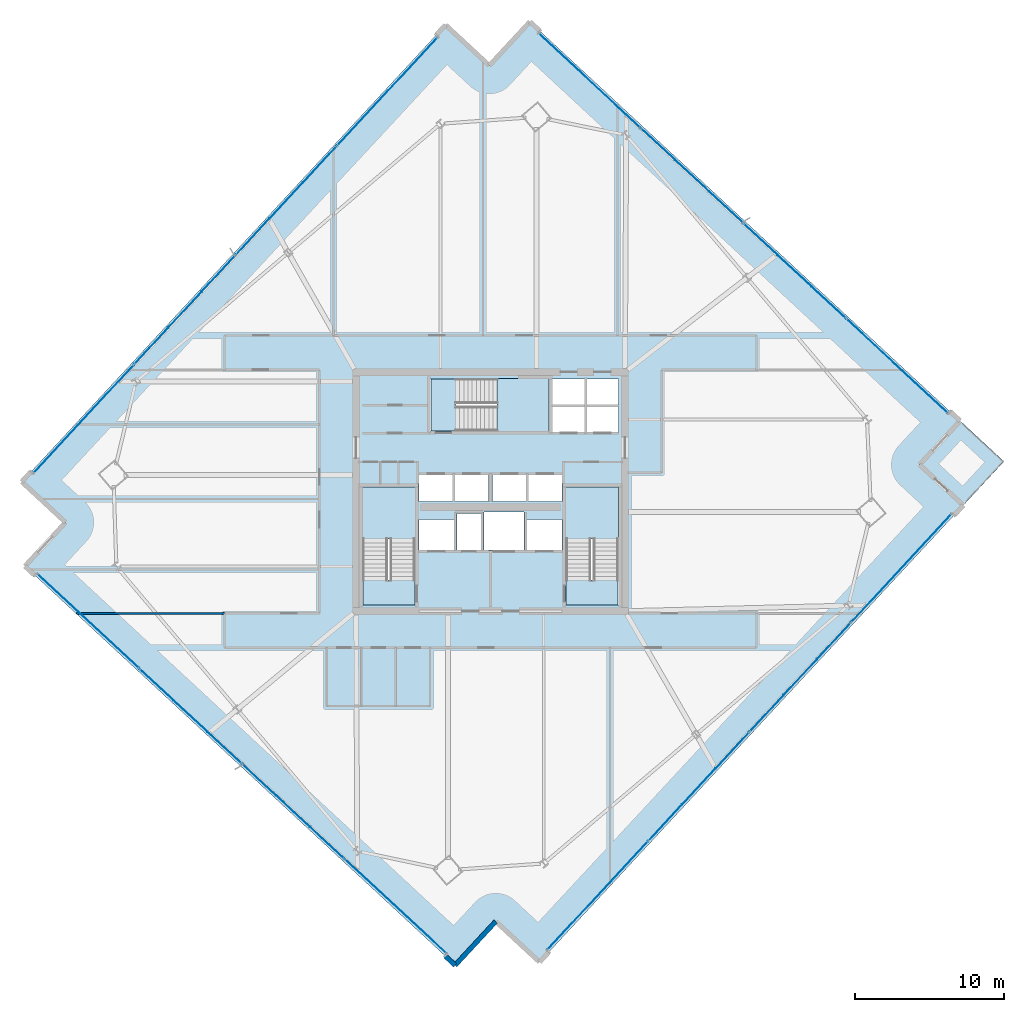
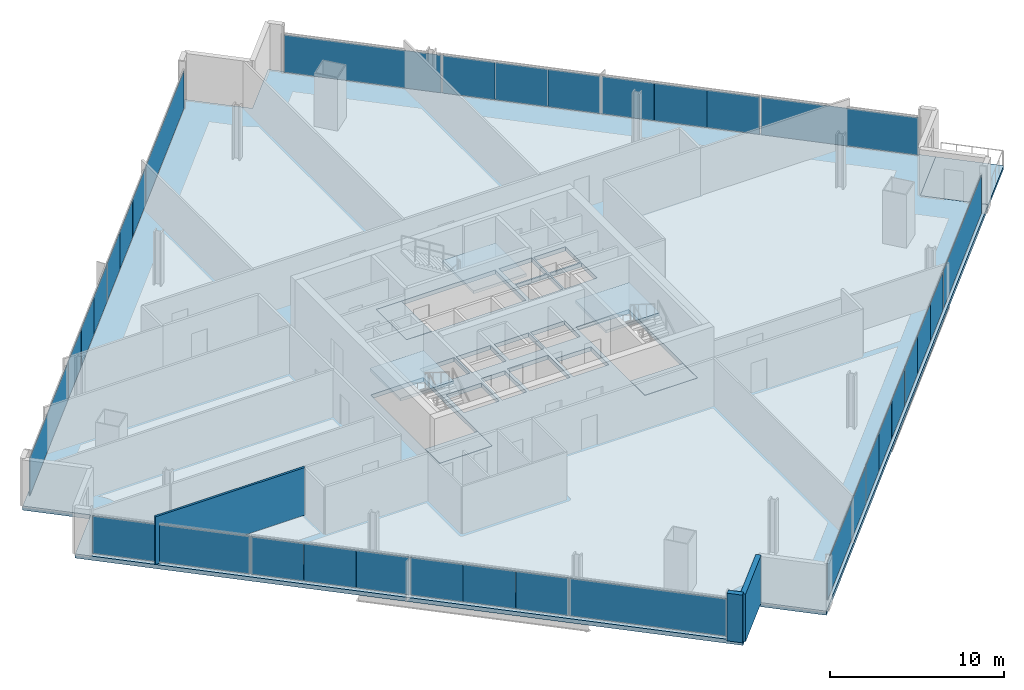
# One storey, part 23 of 32: 32 plates, 8 slabs, 3 walls, 7 elements without a shape of their own.
"""IFC4 building model written with IfcOpenShell, lengths in metres."""

from ifc_helpers import new_model, si_unit, direction, frame, frame_2d, origin, origin_2d, place, context, subcontext, project, spatial, polyline, rectangle, outline, extrude, source, transform, mapped, material, layer, layer_set, type_object, element, aggregate, save


model = new_model("IFC4")

# Units and contexts
model_context = context("Model", 3, precision=1e-05, world=origin(), true_north=direction((0.0, 1.0)))
body_context = subcontext(model_context, "Body", "Model", "MODEL_VIEW")
ifc_project = project(units=[si_unit("LENGTHUNIT", "METRE"), si_unit("AREAUNIT", "SQUARE_METRE"), si_unit("VOLUMEUNIT", "CUBIC_METRE"), si_unit("PLANEANGLEUNIT", "RADIAN"), si_unit("MASSUNIT", "GRAM", prefix="KILO")], contexts=[model_context])

# Site, building, storey
site_placement = place(None, origin())
site = spatial("IfcSite", under=ifc_project, at=site_placement, CompositionType="ELEMENT")
building_placement = place(site_placement, origin())
building = spatial("IfcBuilding", under=site, at=building_placement, Name="Haldenkirk Collegiate Tower", CompositionType="ELEMENT")
storey_placement = place(building_placement, frame((0.0, 0.0, 185.699951171875)))
storey = spatial("IfcBuildingStorey", under=building, at=storey_placement, Name="L46", CompositionType="ELEMENT", Elevation=185.699951171875)

# Slab
ifc_material_1 = material(Name="Concrete f'c 40 MPa", Category="concrete")
ifc_layer_1 = layer(ifc_material_1, 0.2900390625)
ifc_layer_set_1 = layer_set([ifc_layer_1], Name="Concrete f'c 40 MPa")
slab_type_1 = type_object("IfcSlabType", Name="SLB-FLR-290", PredefinedType="FLOOR", material=ifc_layer_set_1)
slab_1_placement = place(storey_placement, frame((0.0, 0.0, -0.2900390625)))
element("IfcSlab", 1, at=slab_1_placement, inside=storey, type_object=slab_type_1, Name="L46 composite structural floor slab", PredefinedType="FLOOR", context=body_context, shape_type="SweptSolid", body=[
    extrude(outline(polyline([(39.287353515625, -5.48876953125), (67.646728515625, 25.0830078125), (64.714111328125, 27.80322265625), (67.4345703125, 30.73583984375), (38.640380859375, 57.446044921875), (35.920166015625, 54.513427734375), (32.987548828125, 57.23388671875), (4.628173828125, 26.662109375), (7.560791015625, 23.941650390625), (4.840576171875, 21.009033203125), (33.634521484375, -5.701171875), (36.354736328125, -2.7685546875), (39.287353515625, -5.48876953125)]), holes=[polyline([(27.449951171875, 18.39990234375), (30.949951171875, 18.39990234375), (30.949951171875, 26.300048828125), (27.449951171875, 26.300048828125), (27.449951171875, 18.39990234375)]), polyline([(41.050048828125, 18.39990234375), (44.550048828125, 18.39990234375), (44.550048828125, 26.300048828125), (41.050048828125, 26.300048828125), (41.050048828125, 18.39990234375)]), polyline([(32.0, 30.050048828125), (39.89990234375, 30.050048828125), (39.89990234375, 33.550048828125), (32.0, 33.550048828125), (32.0, 30.050048828125)]), polyline([(33.75, 22.10009765625), (35.35009765625, 22.10009765625), (35.35009765625, 24.550048828125), (33.75, 24.550048828125), (33.75, 22.10009765625)]), polyline([(40.14990234375, 29.949951171875), (42.320068359375, 29.949951171875), (42.320068359375, 31.699951171875), (40.14990234375, 31.699951171875), (40.14990234375, 29.949951171875)]), polyline([(42.419921875, 29.949951171875), (44.550048828125, 29.949951171875), (44.550048828125, 31.699951171875), (42.419921875, 31.699951171875), (42.419921875, 29.949951171875)]), polyline([(40.14990234375, 31.800048828125), (42.320068359375, 31.800048828125), (42.320068359375, 33.550048828125), (40.14990234375, 33.550048828125), (40.14990234375, 31.800048828125)]), polyline([(42.419921875, 31.800048828125), (44.550048828125, 31.800048828125), (44.550048828125, 33.550048828125), (42.419921875, 33.550048828125), (42.419921875, 31.800048828125)]), polyline([(31.199951171875, 25.35009765625), (33.47998046875, 25.35009765625), (33.47998046875, 27.14990234375), (31.199951171875, 27.14990234375), (31.199951171875, 25.35009765625)]), polyline([(33.60009765625, 25.35009765625), (35.8798828125, 25.35009765625), (35.8798828125, 27.14990234375), (33.60009765625, 27.14990234375), (33.60009765625, 25.35009765625)]), polyline([(36.1201171875, 25.35009765625), (38.39990234375, 25.35009765625), (38.39990234375, 27.14990234375), (36.1201171875, 27.14990234375), (36.1201171875, 25.35009765625)]), polyline([(38.52001953125, 25.35009765625), (40.800048828125, 25.35009765625), (40.800048828125, 27.14990234375), (38.52001953125, 27.14990234375), (38.52001953125, 25.35009765625)]), polyline([(31.199951171875, 22.10009765625), (33.550048828125, 22.10009765625), (33.550048828125, 24.14990234375), (31.199951171875, 24.14990234375), (31.199951171875, 22.10009765625)]), polyline([(38.449951171875, 22.10009765625), (40.800048828125, 22.10009765625), (40.800048828125, 24.14990234375), (38.449951171875, 24.14990234375), (38.449951171875, 22.10009765625)]), polyline([(35.550048828125, 22.10009765625), (38.25, 22.10009765625), (38.25, 24.64990234375), (35.550048828125, 24.64990234375), (35.550048828125, 22.10009765625)])]), origin(), (0.0, 0.0, 1.0), 0.2900390625),
])

# Stair, slab
stair_type = type_object("IfcStairType", Name="STR-DOGLEG-1650", PredefinedType="HALF_TURN_STAIR", material=ifc_material_1)
stair_1_placement = place(storey_placement, origin())
stair_1 = element("IfcStair", 2, at=stair_1_placement, inside=storey, type_object=stair_type, Name="L46 Core Exit Stair ST-1", PredefinedType="HALF_TURN_STAIR")
ifc_layer_2 = layer(ifc_material_1, 0.199951171875)
ifc_layer_set_2 = layer_set([ifc_layer_2], Name="Concrete f'c 40 MPa")
slab_type_2 = type_object("IfcSlabType", Name="SLB-LANDING-200", PredefinedType="LANDING", material=ifc_layer_set_2)
slab_2_placement = place(storey_placement, frame((0.0, 0.0, 1.675048828125)))
slab_2 = element("IfcSlab", 3, at=slab_2_placement, type_object=slab_type_2, Name="ST-1 landing 1", PredefinedType="LANDING", context=body_context, shape_type="SweptSolid", body=[
    extrude(outline(polyline([(30.97509765625, 22.824951171875), (27.425048828125, 22.824951171875), (27.425048828125, 26.324951171875), (30.97509765625, 26.324951171875), (30.97509765625, 22.824951171875)])), origin(), (0.0, 0.0, 1.0), 0.199951171875),
])
aggregate(stair_1, [slab_2])

stair_2_placement = place(storey_placement, origin())
stair_2 = element("IfcStair", 4, at=stair_2_placement, inside=storey, type_object=stair_type, Name="L46 Core Exit Stair ST-2", PredefinedType="HALF_TURN_STAIR")
slab_3_placement = place(storey_placement, frame((0.0, 0.0, 1.675048828125)))
slab_3 = element("IfcSlab", 5, at=slab_3_placement, type_object=slab_type_2, Name="ST-2 landing 1", PredefinedType="LANDING", context=body_context, shape_type="SweptSolid", body=[
    extrude(outline(polyline([(44.574951171875, 22.824951171875), (41.02490234375, 22.824951171875), (41.02490234375, 26.324951171875), (44.574951171875, 26.324951171875), (44.574951171875, 22.824951171875)])), origin(), (0.0, 0.0, 1.0), 0.199951171875),
])
aggregate(stair_2, [slab_3])

stair_3_placement = place(storey_placement, origin())
stair_3 = element("IfcStair", 6, at=stair_3_placement, inside=storey, type_object=stair_type, Name="L46 Core Exit Stair ST-3", PredefinedType="HALF_TURN_STAIR")
slab_4_placement = place(storey_placement, frame((0.0, 0.0, 1.675048828125)))
slab_4 = element("IfcSlab", 7, at=slab_4_placement, type_object=slab_type_2, Name="ST-3 landing 1", PredefinedType="LANDING", context=body_context, shape_type="SweptSolid", body=[
    extrude(outline(polyline([(36.425048828125, 30.02490234375), (36.425048828125, 33.574951171875), (39.925048828125, 33.574951171875), (39.925048828125, 30.02490234375), (36.425048828125, 30.02490234375)])), origin(), (0.0, 0.0, 1.0), 0.199951171875),
])
aggregate(stair_3, [slab_4])

# Slabs
ifc_layer_3 = layer(ifc_material_1, 0.25)
ifc_layer_set_3 = layer_set([ifc_layer_3], Name="Concrete f'c 40 MPa")
slab_type_3 = type_object("IfcSlabType", Name="SLB-STAIRLAND-250", PredefinedType="LANDING", material=ifc_layer_set_3)
slab_5_placement = place(storey_placement, frame((0.0, 0.0, -0.25)))
element("IfcSlab", 8, at=slab_5_placement, inside=storey, type_object=slab_type_3, Name="L46 stair ST1 structural floor landing slab", PredefinedType="LANDING", context=body_context, shape_type="SweptSolid", body=[
    extrude(outline(polyline([(27.4599609375, 18.409912109375), (30.93994140625, 18.409912109375), (30.93994140625, 20.080078125), (27.4599609375, 20.080078125), (27.4599609375, 18.409912109375)])), origin(), (0.0, 0.0, 1.0), 0.25),
])
slab_6_placement = place(storey_placement, frame((0.0, 0.0, -0.25)))
element("IfcSlab", 9, at=slab_6_placement, inside=storey, type_object=slab_type_3, Name="L46 stair ST2 structural floor landing slab", PredefinedType="LANDING", context=body_context, shape_type="SweptSolid", body=[
    extrude(outline(polyline([(41.06005859375, 18.409912109375), (44.5400390625, 18.409912109375), (44.5400390625, 20.080078125), (41.06005859375, 20.080078125), (41.06005859375, 18.409912109375)])), origin(), (0.0, 0.0, 1.0), 0.25),
])
slab_7_placement = place(storey_placement, frame((0.0, 0.0, -0.25)))
element("IfcSlab", 10, at=slab_7_placement, inside=storey, type_object=slab_type_3, Name="L46 stair ST3 structural floor landing slab", PredefinedType="LANDING", context=body_context, shape_type="SweptSolid", body=[
    extrude(outline(polyline([(32.010009765625, 30.06005859375), (33.679931640625, 30.06005859375), (33.679931640625, 33.5400390625), (32.010009765625, 33.5400390625), (32.010009765625, 30.06005859375)])), origin(), (0.0, 0.0, 1.0), 0.25),
])
ifc_layer_4 = layer(ifc_material_1, 0.22998046875)
ifc_layer_set_4 = layer_set([ifc_layer_4], Name="Concrete f'c 40 MPa")
slab_type_4 = type_object("IfcSlabType", Name="SLB-TERR-SPIRAL-230", PredefinedType="FLOOR", material=ifc_layer_set_4)
slab_8_placement = place(storey_placement, frame((0.0, 0.0, -0.22998046875)))
element("IfcSlab", 11, at=slab_8_placement, inside=storey, type_object=slab_type_4, Name="L46 spiralling corner terrace slab", PredefinedType="FLOOR", context=body_context, shape_type="SweptSolid", body=[
    extrude(outline(polyline([(67.646728515625, 25.0830078125), (70.366943359375, 28.015380859375), (67.4345703125, 30.73583984375), (64.714111328125, 27.80322265625), (67.646728515625, 25.0830078125)])), origin(), (0.0, 0.0, 1.0), 0.22998046875),
])

# Curtain wall, plates
ifc_material_2 = material(Name="Anodised architectural bronze aluminium", Category="aluminium")
curtain_wall_type_1 = type_object("IfcCurtainWallType", Name="CW-SYS2-CONCAVE", PredefinedType="USERDEFINED", material=ifc_material_2)
curtain_wall_1_placement = place(storey_placement, origin())
curtain_wall_1 = element("IfcCurtainWall", 12, at=curtain_wall_1_placement, inside=storey, type_object=curtain_wall_type_1, Name="L46 South concave recessed bronze-anodised curtain wall", ObjectType="UNITISED CURTAIN WALL", PredefinedType="USERDEFINED")
ifc_material_3 = material(Name="Low-E argon triple insulating glass", Category="glass")
ifc_layer_5 = layer(ifc_material_3, 0.0419921875)
ifc_layer_set_5 = layer_set([ifc_layer_5], Name="Low-E argon triple insulating glass")
plate_type_1 = type_object("IfcPlateType", Name="CW-PNL-02", PredefinedType="CURTAIN_PANEL", material=ifc_layer_set_5)
shared_shape_1 = source(origin(), body_context, "Body", "SweptSolid", [
    extrude(rectangle(XDim=9.862548828125, YDim=0.0419921875, at=origin_2d()), origin(), (0.0, 0.0, 1.0), 2.64111328125),
])
plate_1_placement = place(storey_placement, frame((63.498046875, 20.875244140625, 0.074951171875), z_axis=(0.0, 0.0, 1.0), x_axis=(-0.680080139869, -0.733137779244, 0.0)))
plate_1 = element("IfcPlate", 13, at=plate_1_placement, type_object=plate_type_1, Name="CW-02 panel 1.1", PredefinedType="CURTAIN_PANEL", context=body_context, shape_type="MappedRepresentation", body=[
    mapped(shared_shape_1, transform((0.0, 0.0, 0.0), x_axis=(1.0, 0.0, 0.0), y_axis=(0.0, 1.0, 0.0), z_axis=(0.0, 0.0, 1.0), scale=1.0)),
])
plate_2_placement = place(storey_placement, frame((43.172119140625, -1.036376953125, 0.074951171875), z_axis=(0.0, 0.0, 1.0), x_axis=(-0.680080139869, -0.733137779244, 0.0)))
plate_2 = element("IfcPlate", 14, at=plate_2_placement, type_object=plate_type_1, Name="CW-02 panel 4.1", PredefinedType="CURTAIN_PANEL", context=body_context, shape_type="MappedRepresentation", body=[
    mapped(shared_shape_1, transform((0.0, 0.0, 0.0), x_axis=(1.0, 0.0, 0.0), y_axis=(0.0, 1.0, 0.0), z_axis=(0.0, 0.0, 1.0), scale=1.0)),
])
ifc_material_4 = material(Name="Bronze-anodised insulated aluminium spandrel panel", Category="aluminium")
ifc_layer_6 = layer(ifc_material_4, 0.0419921875)
ifc_layer_set_6 = layer_set([ifc_layer_6], Name="Bronze-anodised insulated aluminium spandrel panel")
plate_type_2 = type_object("IfcPlateType", Name="CW-SPD-02", PredefinedType="CURTAIN_PANEL", material=ifc_layer_set_6)
shared_shape_2 = source(origin(), body_context, "Body", "SweptSolid", [
    extrude(rectangle(XDim=3.28759765625, YDim=0.0419921875, at=origin_2d()), origin(), (0.0, 0.0, 1.0), 2.64111328125),
])
plate_3_placement = place(storey_placement, frame((58.975341796875, 16.0, 0.074951171875), z_axis=(0.0, 0.0, 1.0), x_axis=(-0.680080139869, -0.733137779244, 0.0)))
plate_3 = element("IfcPlate", 15, at=plate_3_placement, type_object=plate_type_2, Name="CW-02 spandrel panel 2.1a", PredefinedType="CURTAIN_PANEL", context=body_context, shape_type="MappedRepresentation", body=[
    mapped(shared_shape_2, transform((0.0, 0.0, 0.0), x_axis=(1.0, 0.0, 0.0), y_axis=(0.0, 1.0, 0.0), z_axis=(0.0, 0.0, 1.0), scale=1.0)),
])
plate_4_placement = place(storey_placement, frame((54.478515625, 11.152099609375, 0.074951171875), z_axis=(0.0, 0.0, 1.0), x_axis=(-0.680080139869, -0.733137779244, 0.0)))
plate_4 = element("IfcPlate", 16, at=plate_4_placement, type_object=plate_type_2, Name="CW-02 spandrel panel 2.1c", PredefinedType="CURTAIN_PANEL", context=body_context, shape_type="MappedRepresentation", body=[
    mapped(shared_shape_2, transform((0.0, 0.0, 0.0), x_axis=(1.0, 0.0, 0.0), y_axis=(0.0, 1.0, 0.0), z_axis=(0.0, 0.0, 1.0), scale=1.0)),
])
plate_5_placement = place(storey_placement, frame((52.191650390625, 8.68701171875, 0.074951171875), z_axis=(0.0, 0.0, 1.0), x_axis=(-0.680080139869, -0.733137779244, 0.0)))
plate_5 = element("IfcPlate", 17, at=plate_5_placement, type_object=plate_type_2, Name="CW-02 spandrel panel 3.1a", PredefinedType="CURTAIN_PANEL", context=body_context, shape_type="MappedRepresentation", body=[
    mapped(shared_shape_2, transform((0.0, 0.0, 0.0), x_axis=(1.0, 0.0, 0.0), y_axis=(0.0, 1.0, 0.0), z_axis=(0.0, 0.0, 1.0), scale=1.0)),
])
plate_6_placement = place(storey_placement, frame((47.694580078125, 3.839111328125, 0.074951171875), z_axis=(0.0, 0.0, 1.0), x_axis=(-0.680080139869, -0.733137779244, 0.0)))
plate_6 = element("IfcPlate", 18, at=plate_6_placement, type_object=plate_type_1, Name="CW-02 panel 3.1c", PredefinedType="CURTAIN_PANEL", context=body_context, shape_type="MappedRepresentation", body=[
    mapped(shared_shape_2, transform((0.0, 0.0, 0.0), x_axis=(1.0, 0.0, 0.0), y_axis=(0.0, 1.0, 0.0), z_axis=(0.0, 0.0, 1.0), scale=1.0)),
])
shared_shape_3 = source(origin(), body_context, "Body", "SweptSolid", [
    extrude(rectangle(XDim=3.27490234375, YDim=0.0419921875, at=origin_2d()), origin(), (0.0, 0.0, 1.0), 2.64111328125),
])
plate_7_placement = place(storey_placement, frame((56.726806640625, 13.575927734375, 0.074951171875), z_axis=(0.0, 0.0, 1.0), x_axis=(-0.680080139869, -0.733137779244, 0.0)))
plate_7 = element("IfcPlate", 19, at=plate_7_placement, type_object=plate_type_2, Name="CW-02 spandrel panel 2.1b", PredefinedType="CURTAIN_PANEL", context=body_context, shape_type="MappedRepresentation", body=[
    mapped(shared_shape_3, transform((0.0, 0.0, 0.0), x_axis=(1.0, 0.0, 0.0), y_axis=(0.0, 1.0, 0.0), z_axis=(0.0, 0.0, 1.0), scale=1.0)),
])
plate_8_placement = place(storey_placement, frame((49.943115234375, 6.262939453125, 0.074951171875), z_axis=(0.0, 0.0, 1.0), x_axis=(-0.680080139869, -0.733137779244, 0.0)))
plate_8 = element("IfcPlate", 20, at=plate_8_placement, type_object=plate_type_2, Name="CW-02 spandrel panel 3.1b", PredefinedType="CURTAIN_PANEL", context=body_context, shape_type="MappedRepresentation", body=[
    mapped(shared_shape_3, transform((0.0, 0.0, 0.0), x_axis=(1.0, 0.0, 0.0), y_axis=(0.0, 1.0, 0.0), z_axis=(0.0, 0.0, 1.0), scale=1.0)),
])
aggregate(curtain_wall_1, [plate_1, plate_3, plate_7, plate_4, plate_5, plate_8, plate_6, plate_2])

curtain_wall_type_2 = type_object("IfcCurtainWallType", Name="CW-SYS1-CONVEX-LOW", PredefinedType="USERDEFINED", material=ifc_material_2)
curtain_wall_2_placement = place(storey_placement, origin())
curtain_wall_2 = element("IfcCurtainWall", 21, at=curtain_wall_2_placement, inside=storey, type_object=curtain_wall_type_2, Name="L46 Lower tower convex bronze-framed unitised curtain wall", ObjectType="UNITISED CURTAIN WALL", PredefinedType="USERDEFINED")
ifc_layer_7 = layer(ifc_material_3, 0.0439453125)
ifc_layer_set_7 = layer_set([ifc_layer_7], Name="Low-E argon triple insulating glass")
plate_type_3 = type_object("IfcPlateType", Name="CW-PNL-1A", PredefinedType="CURTAIN_PANEL", material=ifc_layer_set_7)
shared_shape_4 = source(origin(), body_context, "Body", "SweptSolid", [
    extrude(rectangle(XDim=9.248779296875, YDim=0.0439453125, at=origin_2d()), origin(), (0.0, 0.0, 1.0), 2.631103515625),
])
plate_9_placement = place(storey_placement, frame((42.626953125, 53.50244140625, 0.080078125), z_axis=(0.0, 0.0, 1.0), x_axis=(0.733138584148, -0.680079272169, 0.0)))
plate_9 = element("IfcPlate", 22, at=plate_9_placement, type_object=plate_type_3, Name="CW-1A panel 1.1", PredefinedType="CURTAIN_PANEL", context=body_context, shape_type="MappedRepresentation", body=[
    mapped(shared_shape_4, transform((0.0, 0.0, 0.0), x_axis=(1.0, 0.0, 0.0), y_axis=(0.0, 1.0, 0.0), z_axis=(0.0, 0.0, 1.0), scale=1.0)),
])
plate_10_placement = place(storey_placement, frame((63.203369140625, 34.415283203125, 0.080078125), z_axis=(0.0, 0.0, 1.0), x_axis=(0.733138584148, -0.680079272169, 0.0)))
plate_10 = element("IfcPlate", 23, at=plate_10_placement, type_object=plate_type_3, Name="CW-1A panel 4.1", PredefinedType="CURTAIN_PANEL", context=body_context, shape_type="MappedRepresentation", body=[
    mapped(shared_shape_4, transform((0.0, 0.0, 0.0), x_axis=(1.0, 0.0, 0.0), y_axis=(0.0, 1.0, 0.0), z_axis=(0.0, 0.0, 1.0), scale=1.0)),
])

curtain_wall_3_placement = place(storey_placement, origin())
curtain_wall_3 = element("IfcCurtainWall", 24, at=curtain_wall_3_placement, inside=storey, type_object=curtain_wall_type_2, Name="L46 Lower tower convex bronze-framed unitised curtain wall", ObjectType="UNITISED CURTAIN WALL", PredefinedType="USERDEFINED")
plate_11_placement = place(storey_placement, frame((29.64794921875, -1.757568359375, 0.080078125), z_axis=(0.0, 0.0, 1.0), x_axis=(-0.733137349967, 0.680080602637, 0.0)))
plate_11 = element("IfcPlate", 25, at=plate_11_placement, type_object=plate_type_3, Name="CW-1A panel 1.1", PredefinedType="CURTAIN_PANEL", context=body_context, shape_type="MappedRepresentation", body=[
    mapped(shared_shape_4, transform((0.0, 0.0, 0.0), x_axis=(1.0, 0.0, 0.0), y_axis=(0.0, 1.0, 0.0), z_axis=(0.0, 0.0, 1.0), scale=1.0)),
])
plate_12_placement = place(storey_placement, frame((9.071533203125, 17.32958984375, 0.080078125), z_axis=(0.0, 0.0, 1.0), x_axis=(-0.733137349967, 0.680080602637, 0.0)))
plate_12 = element("IfcPlate", 26, at=plate_12_placement, type_object=plate_type_3, Name="CW-1A panel 4.1", PredefinedType="CURTAIN_PANEL", context=body_context, shape_type="MappedRepresentation", body=[
    mapped(shared_shape_4, transform((0.0, 0.0, 0.0), x_axis=(1.0, 0.0, 0.0), y_axis=(0.0, 1.0, 0.0), z_axis=(0.0, 0.0, 1.0), scale=1.0)),
])

# Plate
ifc_layer_8 = layer(ifc_material_4, 0.0439453125)
ifc_layer_set_8 = layer_set([ifc_layer_8], Name="Bronze-anodised insulated aluminium spandrel panel")
plate_type_4 = type_object("IfcPlateType", Name="CW-SPD-1A", PredefinedType="CURTAIN_PANEL", material=ifc_layer_set_8)
shared_shape_5 = source(origin(), body_context, "Body", "SweptSolid", [
    extrude(rectangle(XDim=3.083740234375, YDim=0.0439453125, at=origin_2d()), origin(), (0.0, 0.0, 1.0), 2.631103515625),
])
plate_13_placement = place(storey_placement, frame((47.206298828125, 49.254638671875, 0.080078125), z_axis=(0.0, 0.0, 1.0), x_axis=(0.733138584148, -0.680079272169, 0.0)))
plate_13 = element("IfcPlate", 27, at=plate_13_placement, type_object=plate_type_4, Name="CW-1A spandrel panel 2.1a", PredefinedType="CURTAIN_PANEL", context=body_context, shape_type="MappedRepresentation", body=[
    mapped(shared_shape_5, transform((0.0, 0.0, 0.0), x_axis=(1.0, 0.0, 0.0), y_axis=(0.0, 1.0, 0.0), z_axis=(0.0, 0.0, 1.0), scale=1.0)),
])

plate_14_placement = place(storey_placement, frame((51.75537109375, 45.03466796875, 0.080078125), z_axis=(0.0, 0.0, 1.0), x_axis=(0.733138584148, -0.680079272169, 0.0)))
plate_14 = element("IfcPlate", 28, at=plate_14_placement, type_object=plate_type_4, Name="CW-1A spandrel panel 2.1c", PredefinedType="CURTAIN_PANEL", context=body_context, shape_type="MappedRepresentation", body=[
    mapped(shared_shape_5, transform((0.0, 0.0, 0.0), x_axis=(1.0, 0.0, 0.0), y_axis=(0.0, 1.0, 0.0), z_axis=(0.0, 0.0, 1.0), scale=1.0)),
])

plate_15_placement = place(storey_placement, frame((54.07470703125, 42.883056640625, 0.080078125), z_axis=(0.0, 0.0, 1.0), x_axis=(0.733138584148, -0.680079272169, 0.0)))
plate_15 = element("IfcPlate", 29, at=plate_15_placement, type_object=plate_type_4, Name="CW-1A spandrel panel 3.1a", PredefinedType="CURTAIN_PANEL", context=body_context, shape_type="MappedRepresentation", body=[
    mapped(shared_shape_5, transform((0.0, 0.0, 0.0), x_axis=(1.0, 0.0, 0.0), y_axis=(0.0, 1.0, 0.0), z_axis=(0.0, 0.0, 1.0), scale=1.0)),
])

plate_16_placement = place(storey_placement, frame((58.6240234375, 38.6630859375, 0.080078125), z_axis=(0.0, 0.0, 1.0), x_axis=(0.733138584148, -0.680079272169, 0.0)))
plate_16 = element("IfcPlate", 30, at=plate_16_placement, type_object=plate_type_3, Name="CW-1A panel 3.1c", PredefinedType="CURTAIN_PANEL", context=body_context, shape_type="MappedRepresentation", body=[
    mapped(shared_shape_5, transform((0.0, 0.0, 0.0), x_axis=(1.0, 0.0, 0.0), y_axis=(0.0, 1.0, 0.0), z_axis=(0.0, 0.0, 1.0), scale=1.0)),
])

plate_17_placement = place(storey_placement, frame((25.068603515625, 2.490234375, 0.080078125), z_axis=(0.0, 0.0, 1.0), x_axis=(-0.733137349967, 0.680080602637, 0.0)))
plate_17 = element("IfcPlate", 31, at=plate_17_placement, type_object=plate_type_4, Name="CW-1A spandrel panel 2.1a", PredefinedType="CURTAIN_PANEL", context=body_context, shape_type="MappedRepresentation", body=[
    mapped(shared_shape_5, transform((0.0, 0.0, 0.0), x_axis=(1.0, 0.0, 0.0), y_axis=(0.0, 1.0, 0.0), z_axis=(0.0, 0.0, 1.0), scale=1.0)),
])

plate_18_placement = place(storey_placement, frame((20.51953125, 6.710205078125, 0.080078125), z_axis=(0.0, 0.0, 1.0), x_axis=(-0.733137349967, 0.680080602637, 0.0)))
plate_18 = element("IfcPlate", 32, at=plate_18_placement, type_object=plate_type_4, Name="CW-1A spandrel panel 2.1c", PredefinedType="CURTAIN_PANEL", context=body_context, shape_type="MappedRepresentation", body=[
    mapped(shared_shape_5, transform((0.0, 0.0, 0.0), x_axis=(1.0, 0.0, 0.0), y_axis=(0.0, 1.0, 0.0), z_axis=(0.0, 0.0, 1.0), scale=1.0)),
])

plate_19_placement = place(storey_placement, frame((18.2001953125, 8.86181640625, 0.080078125), z_axis=(0.0, 0.0, 1.0), x_axis=(-0.733137349967, 0.680080602637, 0.0)))
plate_19 = element("IfcPlate", 33, at=plate_19_placement, type_object=plate_type_4, Name="CW-1A spandrel panel 3.1a", PredefinedType="CURTAIN_PANEL", context=body_context, shape_type="MappedRepresentation", body=[
    mapped(shared_shape_5, transform((0.0, 0.0, 0.0), x_axis=(1.0, 0.0, 0.0), y_axis=(0.0, 1.0, 0.0), z_axis=(0.0, 0.0, 1.0), scale=1.0)),
])

plate_20_placement = place(storey_placement, frame((13.65087890625, 13.081787109375, 0.080078125), z_axis=(0.0, 0.0, 1.0), x_axis=(-0.733137349967, 0.680080602637, 0.0)))
plate_20 = element("IfcPlate", 34, at=plate_20_placement, type_object=plate_type_3, Name="CW-1A panel 3.1c", PredefinedType="CURTAIN_PANEL", context=body_context, shape_type="MappedRepresentation", body=[
    mapped(shared_shape_5, transform((0.0, 0.0, 0.0), x_axis=(1.0, 0.0, 0.0), y_axis=(0.0, 1.0, 0.0), z_axis=(0.0, 0.0, 1.0), scale=1.0)),
])

shared_shape_6 = source(origin(), body_context, "Body", "SweptSolid", [
    extrude(rectangle(XDim=3.0712890625, YDim=0.0439453125, at=origin_2d()), origin(), (0.0, 0.0, 1.0), 2.631103515625),
])
plate_21_placement = place(storey_placement, frame((49.480712890625, 47.14453125, 0.080078125), z_axis=(0.0, 0.0, 1.0), x_axis=(0.733138584148, -0.680079272169, 0.0)))
plate_21 = element("IfcPlate", 35, at=plate_21_placement, type_object=plate_type_4, Name="CW-1A spandrel panel 2.1b", PredefinedType="CURTAIN_PANEL", context=body_context, shape_type="MappedRepresentation", body=[
    mapped(shared_shape_6, transform((0.0, 0.0, 0.0), x_axis=(1.0, 0.0, 0.0), y_axis=(0.0, 1.0, 0.0), z_axis=(0.0, 0.0, 1.0), scale=1.0)),
])

plate_22_placement = place(storey_placement, frame((56.349365234375, 40.773193359375, 0.080078125), z_axis=(0.0, 0.0, 1.0), x_axis=(0.733138584148, -0.680079272169, 0.0)))
plate_22 = element("IfcPlate", 36, at=plate_22_placement, type_object=plate_type_3, Name="CW-1A panel 3.1b", PredefinedType="CURTAIN_PANEL", context=body_context, shape_type="MappedRepresentation", body=[
    mapped(shared_shape_6, transform((0.0, 0.0, 0.0), x_axis=(1.0, 0.0, 0.0), y_axis=(0.0, 1.0, 0.0), z_axis=(0.0, 0.0, 1.0), scale=1.0)),
])

aggregate(curtain_wall_2, [plate_9, plate_13, plate_21, plate_14, plate_15, plate_22, plate_16, plate_10])

plate_23_placement = place(storey_placement, frame((22.794189453125, 4.60009765625, 0.080078125), z_axis=(0.0, 0.0, 1.0), x_axis=(-0.733137349967, 0.680080602637, 0.0)))
plate_23 = element("IfcPlate", 37, at=plate_23_placement, type_object=plate_type_4, Name="CW-1A spandrel panel 2.1b", PredefinedType="CURTAIN_PANEL", context=body_context, shape_type="MappedRepresentation", body=[
    mapped(shared_shape_6, transform((0.0, 0.0, 0.0), x_axis=(1.0, 0.0, 0.0), y_axis=(0.0, 1.0, 0.0), z_axis=(0.0, 0.0, 1.0), scale=1.0)),
])

plate_24_placement = place(storey_placement, frame((15.925537109375, 10.9716796875, 0.080078125), z_axis=(0.0, 0.0, 1.0), x_axis=(-0.733137349967, 0.680080602637, 0.0)))
plate_24 = element("IfcPlate", 38, at=plate_24_placement, type_object=plate_type_3, Name="CW-1A panel 3.1b", PredefinedType="CURTAIN_PANEL", context=body_context, shape_type="MappedRepresentation", body=[
    mapped(shared_shape_6, transform((0.0, 0.0, 0.0), x_axis=(1.0, 0.0, 0.0), y_axis=(0.0, 1.0, 0.0), z_axis=(0.0, 0.0, 1.0), scale=1.0)),
])

aggregate(curtain_wall_3, [plate_11, plate_17, plate_23, plate_18, plate_19, plate_24, plate_20, plate_12])

# Curtain wall, plates
curtain_wall_4_placement = place(storey_placement, origin())
curtain_wall_4 = element("IfcCurtainWall", 39, at=curtain_wall_4_placement, inside=storey, type_object=curtain_wall_type_2, Name="L46 Lower tower convex bronze-framed unitised curtain wall", ObjectType="UNITISED CURTAIN WALL", PredefinedType="USERDEFINED")
shared_shape_7 = source(origin(), body_context, "Body", "SweptSolid", [
    extrude(rectangle(XDim=9.85498046875, YDim=0.0439453125, at=origin_2d()), origin(), (0.0, 0.0, 1.0), 2.631103515625),
])
plate_25_placement = place(storey_placement, frame((8.77783203125, 30.87060546875, 0.080078125), z_axis=(0.0, 0.0, 1.0), x_axis=(0.680080139869, 0.733137779244, 0.0)))
plate_25 = element("IfcPlate", 40, at=plate_25_placement, type_object=plate_type_3, Name="CW-1A panel 1.1", PredefinedType="CURTAIN_PANEL", context=body_context, shape_type="MappedRepresentation", body=[
    mapped(shared_shape_7, transform((0.0, 0.0, 0.0), x_axis=(1.0, 0.0, 0.0), y_axis=(0.0, 1.0, 0.0), z_axis=(0.0, 0.0, 1.0), scale=1.0)),
])
plate_26_placement = place(storey_placement, frame((29.10205078125, 52.780517578125, 0.080078125), z_axis=(0.0, 0.0, 1.0), x_axis=(0.680080139869, 0.733137779244, 0.0)))
plate_26 = element("IfcPlate", 41, at=plate_26_placement, type_object=plate_type_3, Name="CW-1A panel 4.1", PredefinedType="CURTAIN_PANEL", context=body_context, shape_type="MappedRepresentation", body=[
    mapped(shared_shape_7, transform((0.0, 0.0, 0.0), x_axis=(1.0, 0.0, 0.0), y_axis=(0.0, 1.0, 0.0), z_axis=(0.0, 0.0, 1.0), scale=1.0)),
])
shared_shape_8 = source(origin(), body_context, "Body", "SweptSolid", [
    extrude(rectangle(XDim=3.285888671875, YDim=0.0439453125, at=origin_2d()), origin(), (0.0, 0.0, 1.0), 2.631103515625),
])
plate_27_placement = place(storey_placement, frame((13.300537109375, 35.746337890625, 0.080078125), z_axis=(0.0, 0.0, 1.0), x_axis=(0.680080139869, 0.733137779244, 0.0)))
plate_27 = element("IfcPlate", 42, at=plate_27_placement, type_object=plate_type_4, Name="CW-1A spandrel panel 2.1a", PredefinedType="CURTAIN_PANEL", context=body_context, shape_type="MappedRepresentation", body=[
    mapped(shared_shape_8, transform((0.0, 0.0, 0.0), x_axis=(1.0, 0.0, 0.0), y_axis=(0.0, 1.0, 0.0), z_axis=(0.0, 0.0, 1.0), scale=1.0)),
])
plate_28_placement = place(storey_placement, frame((17.79541015625, 40.591796875, 0.080078125), z_axis=(0.0, 0.0, 1.0), x_axis=(0.680080139869, 0.733137779244, 0.0)))
plate_28 = element("IfcPlate", 43, at=plate_28_placement, type_object=plate_type_4, Name="CW-1A spandrel panel 2.1c", PredefinedType="CURTAIN_PANEL", context=body_context, shape_type="MappedRepresentation", body=[
    mapped(shared_shape_8, transform((0.0, 0.0, 0.0), x_axis=(1.0, 0.0, 0.0), y_axis=(0.0, 1.0, 0.0), z_axis=(0.0, 0.0, 1.0), scale=1.0)),
])
plate_29_placement = place(storey_placement, frame((20.08447265625, 43.059326171875, 0.080078125), z_axis=(0.0, 0.0, 1.0), x_axis=(0.680080139869, 0.733137779244, 0.0)))
plate_29 = element("IfcPlate", 44, at=plate_29_placement, type_object=plate_type_4, Name="CW-1A spandrel panel 3.1a", PredefinedType="CURTAIN_PANEL", context=body_context, shape_type="MappedRepresentation", body=[
    mapped(shared_shape_8, transform((0.0, 0.0, 0.0), x_axis=(1.0, 0.0, 0.0), y_axis=(0.0, 1.0, 0.0), z_axis=(0.0, 0.0, 1.0), scale=1.0)),
])
plate_30_placement = place(storey_placement, frame((24.5791015625, 47.90478515625, 0.080078125), z_axis=(0.0, 0.0, 1.0), x_axis=(0.680080139869, 0.733137779244, 0.0)))
plate_30 = element("IfcPlate", 45, at=plate_30_placement, type_object=plate_type_3, Name="CW-1A panel 3.1c", PredefinedType="CURTAIN_PANEL", context=body_context, shape_type="MappedRepresentation", body=[
    mapped(shared_shape_8, transform((0.0, 0.0, 0.0), x_axis=(1.0, 0.0, 0.0), y_axis=(0.0, 1.0, 0.0), z_axis=(0.0, 0.0, 1.0), scale=1.0)),
])
shared_shape_9 = source(origin(), body_context, "Body", "SweptSolid", [
    extrude(rectangle(XDim=3.273193359375, YDim=0.0439453125, at=origin_2d()), origin(), (0.0, 0.0, 1.0), 2.631103515625),
])
plate_31_placement = place(storey_placement, frame((15.548095703125, 38.1689453125, 0.080078125), z_axis=(0.0, 0.0, 1.0), x_axis=(0.680080139869, 0.733137779244, 0.0)))
plate_31 = element("IfcPlate", 46, at=plate_31_placement, type_object=plate_type_4, Name="CW-1A spandrel panel 2.1b", PredefinedType="CURTAIN_PANEL", context=body_context, shape_type="MappedRepresentation", body=[
    mapped(shared_shape_9, transform((0.0, 0.0, 0.0), x_axis=(1.0, 0.0, 0.0), y_axis=(0.0, 1.0, 0.0), z_axis=(0.0, 0.0, 1.0), scale=1.0)),
])
plate_32_placement = place(storey_placement, frame((22.331787109375, 45.48193359375, 0.080078125), z_axis=(0.0, 0.0, 1.0), x_axis=(0.680080139869, 0.733137779244, 0.0)))
plate_32 = element("IfcPlate", 47, at=plate_32_placement, type_object=plate_type_4, Name="CW-1A spandrel panel 3.1b", PredefinedType="CURTAIN_PANEL", context=body_context, shape_type="MappedRepresentation", body=[
    mapped(shared_shape_9, transform((0.0, 0.0, 0.0), x_axis=(1.0, 0.0, 0.0), y_axis=(0.0, 1.0, 0.0), z_axis=(0.0, 0.0, 1.0), scale=1.0)),
])
aggregate(curtain_wall_4, [plate_25, plate_27, plate_31, plate_28, plate_29, plate_32, plate_30, plate_26])

# Walls
ifc_material_5 = material(Name="Precast concrete f'c 40 MPa", Category="concrete")
ifc_layer_9 = layer(ifc_material_5, 0.320068359375)
ifc_layer_set_9 = layer_set([ifc_layer_9], Name="Precast concrete f'c 40 MPa")
wall_type_1 = type_object("IfcWallType", Name="WL-EXT-TWR-320", PredefinedType="STANDARD", material=ifc_layer_set_9)
wall_1_placement = place(storey_placement, frame((33.634521484375, -5.701171875, 0.0), z_axis=(0.0, 0.0, 1.0), x_axis=(-0.733189467173, 0.680024415169, 0.0)))
element("IfcWall", 48, at=wall_1_placement, inside=storey, type_object=wall_type_1, Name="L46 precast corner pier WL", PredefinedType="STANDARD", context=body_context, shape_type="SweptSolid", body=[
    extrude(rectangle(XDim=0.900146484375, YDim=0.320068359375, at=frame_2d((0.4501953125, 0.0))), origin(), (0.0, 0.0, 1.0), 3.340087890625),
])
wall_2_placement = place(storey_placement, frame((36.354736328125, -2.7685546875, 0.0), z_axis=(0.0, 0.0, 1.0), x_axis=(-0.68005769854, -0.733158595841, 0.0)))
element("IfcWall", 49, at=wall_2_placement, inside=storey, type_object=wall_type_1, Name="L46 bronze precast notch wall 11", PredefinedType="STANDARD", context=body_context, shape_type="SweptSolid", body=[
    extrude(rectangle(XDim=4.0, YDim=0.320068359375, at=frame_2d((2.0, 0.0))), origin(), (0.0, 0.0, 1.0), 3.340087890625),
])
ifc_material_6 = material(Name="Acoustic fire-rated gypsum partition", Category="concrete")
ifc_layer_10 = layer(ifc_material_6, 0.139892578125)
ifc_layer_set_10 = layer_set([ifc_layer_10], Name="Acoustic fire-rated gypsum partition")
wall_type_2 = type_object("IfcWallType", Name="WL-INT-DIV-140", PredefinedType="PARTITIONING", material=ifc_layer_set_10)
wall_3_placement = place(storey_placement, frame((8.304931640625, 17.85009765625, 0.0), z_axis=(0.0, 0.0, 1.0), x_axis=(1.0, 0.0, 0.0)))
element("IfcWall", 50, at=wall_3_placement, inside=storey, type_object=wall_type_2, Name="L46 interior partition IW-L46-BWS", PredefinedType="PARTITIONING", context=body_context, shape_type="SweptSolid", body=[
    extrude(rectangle(XDim=9.89501953125, YDim=0.139892578125, at=frame_2d((4.947509765625, 0.0))), origin(), (0.0, 0.0, 1.0), 3.340087890625),
])

save(model, "model.ifc")
